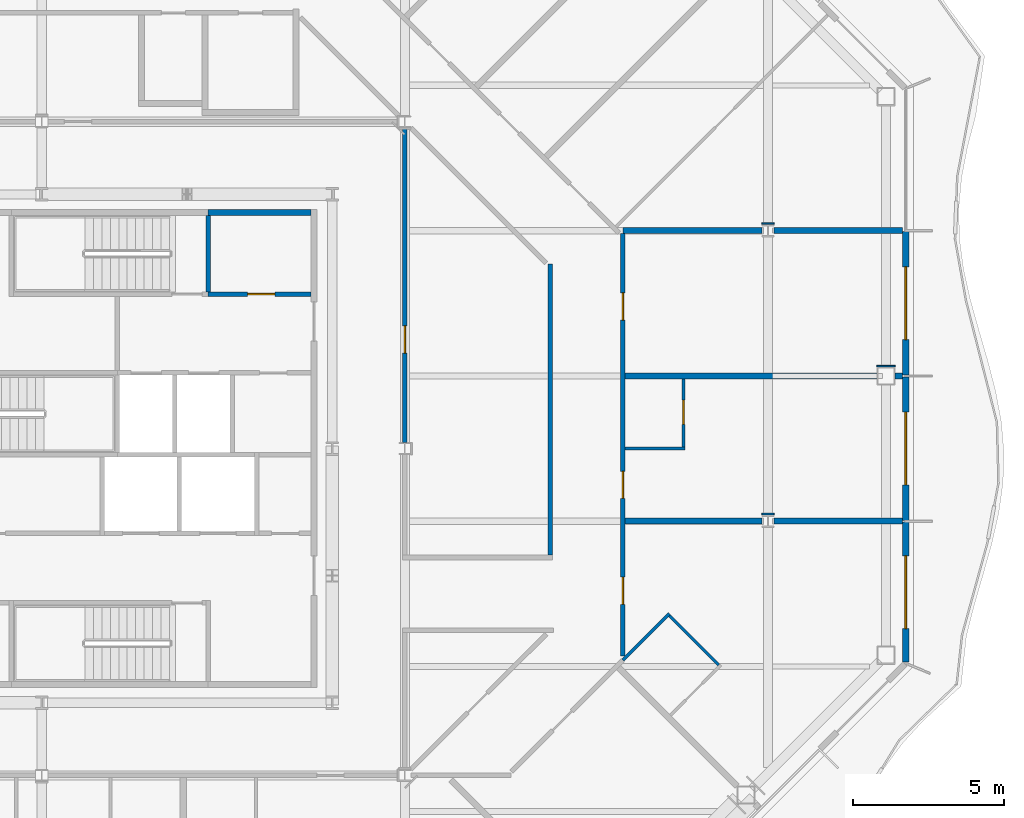
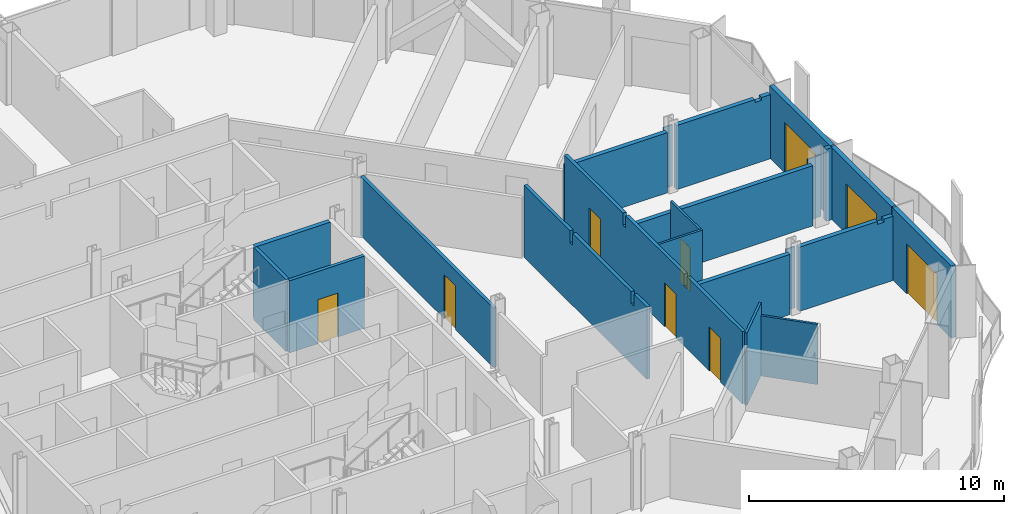
# One storey, part 11 of 21: 22 walls, 9 doors, 9 openings.
"""IFC4 building model written with IfcOpenShell, lengths in metres."""

from ifc_helpers import new_model, si_unit, direction, frame, frame_2d, origin, place, context, subcontext, project, spatial, polyline, rectangle, outline, extrude, material, layer, layer_set, type_object, element, fill, save


model = new_model("IFC4")

# Units and contexts
model_context = context("Model", 3, precision=1e-05, world=origin(), true_north=direction((0.0, 1.0)))
body_context = subcontext(model_context, "Body", "Model", "MODEL_VIEW")
ifc_project = project(units=[si_unit("LENGTHUNIT", "METRE"), si_unit("AREAUNIT", "SQUARE_METRE"), si_unit("VOLUMEUNIT", "CUBIC_METRE"), si_unit("PLANEANGLEUNIT", "RADIAN"), si_unit("MASSUNIT", "GRAM", prefix="KILO")], contexts=[model_context])

# Site, building, storey
site_placement = place(None, origin())
site = spatial("IfcSite", under=ifc_project, at=site_placement, CompositionType="ELEMENT")
building_placement = place(site_placement, origin())
building = spatial("IfcBuilding", under=site, at=building_placement, Name="Cairn Pilgrim Tower", CompositionType="ELEMENT")
storey_placement = place(building_placement, frame((0.0, 0.0, 154.199951171875)))
storey = spatial("IfcBuildingStorey", under=building, at=storey_placement, Name="L38", CompositionType="ELEMENT", Elevation=154.199951171875)

# Wall, opening, door
ifc_material_1 = material(Name="Bronze anodised aluminium insulated sandwich panel with mineral wool fill", Category="aluminium")
ifc_layer_1 = layer(ifc_material_1, 0.199951171875)
ifc_layer_set_1 = layer_set([ifc_layer_1], Name="BRONZE INFILL FRAME WALL 200")
wall_type_1 = type_object("IfcWallType", Name="BRONZE INFILL FRAME WALL 200", PredefinedType="NOTDEFINED", material=ifc_layer_set_1)
wall_1_placement = place(storey_placement, frame((35.75, -4.656494140625, 0.0), z_axis=(0.0, 0.0, 1.0), x_axis=(0.0, 1.0, 0.0)))
wall_1 = element("IfcWall", 1, at=wall_1_placement, inside=storey, type_object=wall_type_1, Name="Bronze infill frame wall IW-E1", PredefinedType="NOTDEFINED", context=body_context, shape_type="SweptSolid", body=[
    extrude(rectangle(XDim=4.62646484375, YDim=0.199951171875, at=frame_2d((2.313232421875, 0.0))), origin(), (0.0, 0.0, 1.0), 3.449951171875),
])
opening_1_placement = place(wall_1_placement, frame((1.1083984375, 0.0, 0.0)))
opening_1 = element("IfcOpeningElement", 2, at=opening_1_placement, cuts=wall_1, Name="Opening 3803B", PredefinedType="OPENING", context=body_context, shape_type="SweptSolid", body=[
    extrude(rectangle(XDim=2.39990234375, YDim=2.39990234375, at=frame_2d((1.199951171875, 1.199951171875))), frame((0.0, 0.10986328125, 0.0), z_axis=(0.0, -1.0, 0.0), x_axis=(1.0, 0.0, 0.0)), (0.0, 0.0, 1.0), 0.219970703125),
])
ifc_material_2 = material(Name="Bronze anodised aluminium frame with tinted low-E glass", Category="aluminium")
door_type_1 = type_object("IfcDoorType", Name="BALCONY SLIDING DOOR 2400x2400", OperationType="DOUBLE_DOOR_SLIDING", PredefinedType="DOOR", material=ifc_material_2)
door_1_placement = place(opening_1_placement, origin())
door_1 = element("IfcDoor", 3, at=door_1_placement, inside=storey, type_object=door_type_1, Name="Balcony sliding door 3803B", OperationType="SINGLE_SWING_LEFT", OverallHeight=2.39990234375, OverallWidth=2.39990234375, PredefinedType="DOOR", context=body_context, shape_type="SweptSolid", body=[
    extrude(rectangle(XDim=2.39990234375, YDim=2.39990234375, at=frame_2d((1.199951171875, 1.199951171875))), frame((0.0, 0.02490234375, 0.0), z_axis=(0.0, -1.0, 0.0), x_axis=(1.0, 0.0, 0.0)), (0.0, 0.0, 1.0), 0.050048828125),
])
fill(opening_1, door_1)

wall_2_placement = place(storey_placement, frame((35.75, 0.030029296875, 0.0), z_axis=(0.0, 0.0, 1.0), x_axis=(0.0, 1.0, 0.0)))
wall_2 = element("IfcWall", 4, at=wall_2_placement, inside=storey, type_object=wall_type_1, Name="Bronze infill frame wall IW-E2", PredefinedType="NOTDEFINED", context=body_context, shape_type="SweptSolid", body=[
    extrude(rectangle(XDim=4.739990234375, YDim=0.199951171875, at=frame_2d((2.3701171875, 0.0))), origin(), (0.0, 0.0, 1.0), 3.449951171875),
])
opening_2_placement = place(wall_2_placement, frame((1.169921875, 0.0, 0.0)))
opening_2 = element("IfcOpeningElement", 5, at=opening_2_placement, cuts=wall_2, Name="Opening 3804B", PredefinedType="OPENING", context=body_context, shape_type="SweptSolid", body=[
    extrude(rectangle(XDim=2.39990234375, YDim=2.39990234375, at=frame_2d((1.199951171875, 1.199951171875))), frame((0.0, 0.10986328125, 0.0), z_axis=(0.0, -1.0, 0.0), x_axis=(1.0, 0.0, 0.0)), (0.0, 0.0, 1.0), 0.219970703125),
])
door_2_placement = place(opening_2_placement, origin())
door_2 = element("IfcDoor", 6, at=door_2_placement, inside=storey, type_object=door_type_1, Name="Balcony sliding door 3804B", OperationType="SINGLE_SWING_LEFT", OverallHeight=2.39990234375, OverallWidth=2.39990234375, PredefinedType="DOOR", context=body_context, shape_type="SweptSolid", body=[
    extrude(rectangle(XDim=2.39990234375, YDim=2.39990234375, at=frame_2d((1.199951171875, 1.199951171875))), frame((0.0, 0.02490234375, 0.0), z_axis=(0.0, -1.0, 0.0), x_axis=(1.0, 0.0, 0.0)), (0.0, 0.0, 1.0), 0.050048828125),
])
fill(opening_2, door_2)

wall_3_placement = place(storey_placement, frame((35.75, 4.830078125, 0.0), z_axis=(0.0, 0.0, 1.0), x_axis=(0.0, 1.0, 0.0)))
wall_3 = element("IfcWall", 7, at=wall_3_placement, inside=storey, type_object=wall_type_1, Name="Bronze infill frame wall IW-E3", PredefinedType="NOTDEFINED", context=body_context, shape_type="SweptSolid", body=[
    extrude(rectangle(XDim=4.739990234375, YDim=0.199951171875, at=frame_2d((2.3701171875, 0.0))), origin(), (0.0, 0.0, 1.0), 3.449951171875),
])
opening_3_placement = place(wall_3_placement, frame((1.169921875, 0.0, 0.0)))
opening_3 = element("IfcOpeningElement", 8, at=opening_3_placement, cuts=wall_3, Name="Opening 3805B", PredefinedType="OPENING", context=body_context, shape_type="SweptSolid", body=[
    extrude(rectangle(XDim=2.39990234375, YDim=2.39990234375, at=frame_2d((1.199951171875, 1.199951171875))), frame((0.0, 0.10986328125, 0.0), z_axis=(0.0, -1.0, 0.0), x_axis=(1.0, 0.0, 0.0)), (0.0, 0.0, 1.0), 0.219970703125),
])
door_3_placement = place(opening_3_placement, origin())
door_3 = element("IfcDoor", 9, at=door_3_placement, inside=storey, type_object=door_type_1, Name="Balcony sliding door 3805B", OperationType="SINGLE_SWING_LEFT", OverallHeight=2.39990234375, OverallWidth=2.39990234375, PredefinedType="DOOR", context=body_context, shape_type="SweptSolid", body=[
    extrude(rectangle(XDim=2.39990234375, YDim=2.39990234375, at=frame_2d((1.199951171875, 1.199951171875))), frame((0.0, 0.02490234375, 0.0), z_axis=(0.0, -1.0, 0.0), x_axis=(1.0, 0.0, 0.0)), (0.0, 0.0, 1.0), 0.050048828125),
])
fill(opening_3, door_3)

# Wall
ifc_material_3 = material(Name="Concrete C32/40", Category="concrete")
ifc_layer_2 = layer(ifc_material_3, 0.199951171875)
ifc_layer_set_2 = layer_set([ifc_layer_2], Name="CORE OUTER WALL 200 EI 120")
wall_type_2 = type_object("IfcWallType", Name="CORE OUTER WALL 200 EI 120", PredefinedType="SOLIDWALL", material=ifc_layer_set_2)
wall_4_placement = place(storey_placement, frame((12.699951171875, 10.199951171875, 0.0), z_axis=(0.0, 0.0, 1.0), x_axis=(1.0, 0.0, 0.0)))
element("IfcWall", 10, at=wall_4_placement, inside=storey, type_object=wall_type_2, Name="CW:L38:H12-3", PredefinedType="SOLIDWALL", context=body_context, shape_type="SweptSolid", body=[
    extrude(rectangle(XDim=3.400146484375, YDim=0.199951171875, at=frame_2d((1.7001953125, 0.0))), origin(), (0.0, 0.0, 1.0), 3.449951171875),
])

# Wall, opening, door
ifc_layer_3 = layer(ifc_material_3, 0.14990234375)
ifc_layer_set_3 = layer_set([ifc_layer_3], Name="CORE SHAFT WALL 150 EI 120")
wall_type_3 = type_object("IfcWallType", Name="CORE SHAFT WALL 150 EI 120", PredefinedType="SOLIDWALL", material=ifc_layer_set_3)
wall_5_placement = place(storey_placement, frame((12.699951171875, 7.5, 0.0), z_axis=(0.0, 0.0, 1.0), x_axis=(1.0, 0.0, 0.0)))
wall_5 = element("IfcWall", 11, at=wall_5_placement, inside=storey, type_object=wall_type_3, Name="CW:L38:H11-2", PredefinedType="SOLIDWALL", context=body_context, shape_type="SweptSolid", body=[
    extrude(rectangle(XDim=3.400146484375, YDim=0.14990234375, at=frame_2d((1.7001953125, 0.0))), origin(), (0.0, 0.0, 1.0), 3.449951171875),
])
opening_4_placement = place(wall_5_placement, frame((1.300048828125, 0.0, 0.0)))
opening_4 = element("IfcOpeningElement", 12, at=opening_4_placement, cuts=wall_5, Name="Opening RD-R4E", PredefinedType="OPENING", context=body_context, shape_type="SweptSolid", body=[
    extrude(rectangle(XDim=0.89990234375, YDim=2.10009765625, at=frame_2d((0.449951171875, 1.050048828125))), frame((0.0, 0.0849609375, 0.0), z_axis=(0.0, -1.0, 0.0), x_axis=(1.0, 0.0, 0.0)), (0.0, 0.0, 1.0), 0.169921875),
])
ifc_material_4 = material(Name="Painted steel", Category="steel")
door_type_2 = type_object("IfcDoorType", Name="SERVICE ROOM DOOR 900x2100", OperationType="SINGLE_SWING_LEFT", PredefinedType="DOOR", material=ifc_material_4)
door_4_placement = place(opening_4_placement, origin())
door_4 = element("IfcDoor", 13, at=door_4_placement, inside=storey, type_object=door_type_2, Name="RD-R4E", OperationType="SINGLE_SWING_RIGHT", OverallHeight=2.10009765625, OverallWidth=0.89990234375, PredefinedType="DOOR", context=body_context, shape_type="SweptSolid", body=[
    extrude(rectangle(XDim=0.89990234375, YDim=2.10009765625, at=frame_2d((0.449951171875, 1.050048828125))), frame((0.0, 0.02490234375, 0.0), z_axis=(0.0, -1.0, 0.0), x_axis=(1.0, 0.0, 0.0)), (0.0, 0.0, 1.0), 0.050048828125),
])
fill(opening_4, door_4)

# Walls
ifc_material_5 = material(Name="Gypsum partition")
ifc_layer_4 = layer(ifc_material_5, 0.10009765625)
ifc_layer_set_4 = layer_set([ifc_layer_4], Name="PARTITION 100 DRYWALL")
wall_type_4 = type_object("IfcWallType", Name="PARTITION 100 DRYWALL", PredefinedType="PARTITIONING", material=ifc_layer_set_4)
wall_6_placement = place(storey_placement, frame((29.567626953125, -4.74951171875, 0.0), z_axis=(0.0, 0.0, 1.0), x_axis=(-0.707106781187, 0.707106781187, 0.0)))
element("IfcWall", 14, at=wall_6_placement, inside=storey, type_object=wall_type_4, Name="PARTITION W039", PredefinedType="PARTITIONING", context=body_context, shape_type="SweptSolid", body=[
    extrude(rectangle(XDim=2.2998046875, YDim=0.10009765625, at=frame_2d((1.14990234375, 0.0))), origin(), (0.0, 0.0, 1.0), 2.880126953125),
])
wall_7_placement = place(storey_placement, frame((26.39990234375, -4.593994140625, 0.0), z_axis=(0.0, 0.0, 1.0), x_axis=(0.707106781187, 0.707106781187, 0.0)))
element("IfcWall", 15, at=wall_7_placement, inside=storey, type_object=wall_type_4, Name="PARTITION W040", PredefinedType="PARTITIONING", context=body_context, shape_type="SweptSolid", body=[
    extrude(rectangle(XDim=2.179931640625, YDim=0.10009765625, at=frame_2d((1.08984375, 0.0))), origin(), (0.0, 0.0, 1.0), 3.449951171875),
])
wall_8_placement = place(storey_placement, frame((26.47509765625, 2.39990234375, 0.0), z_axis=(0.0, 0.0, 1.0), x_axis=(1.0, 0.0, 0.0)))
element("IfcWall", 16, at=wall_8_placement, inside=storey, type_object=wall_type_4, Name="PARTITION W056", PredefinedType="PARTITIONING", context=body_context, shape_type="SweptSolid", body=[
    extrude(rectangle(XDim=1.974853515625, YDim=0.10009765625, at=frame_2d((0.9873046875, 0.0))), origin(), (0.0, 0.0, 1.0), 3.449951171875),
])

# Wall, opening, door
wall_9_placement = place(storey_placement, frame((28.39990234375, 2.449951171875, 0.0), z_axis=(0.0, 0.0, 1.0), x_axis=(0.0, 1.0, 0.0)))
wall_9 = element("IfcWall", 17, at=wall_9_placement, inside=storey, type_object=wall_type_4, Name="PARTITION W057", PredefinedType="PARTITIONING", context=body_context, shape_type="SweptSolid", body=[
    extrude(outline(polyline([(0.0, 0.0), (2.25, 0.0), (2.25, 2.880126953125), (2.2451171875, 2.880126953125), (2.242919921875, 3.449951171875), (0.0, 3.449951171875), (0.0, 0.0)])), frame((0.0, 0.050048828125, 0.0), z_axis=(0.0, -1.0, 0.0), x_axis=(1.0, 0.0, 0.0)), (0.0, 0.0, 1.0), 0.10009765625),
])
opening_5_placement = place(wall_9_placement, frame((0.75, 0.0, 0.0)))
opening_5 = element("IfcOpeningElement", 18, at=opening_5_placement, cuts=wall_9, Name="Opening 3804A", PredefinedType="OPENING", context=body_context, shape_type="SweptSolid", body=[
    extrude(rectangle(XDim=0.800048828125, YDim=2.10009765625, at=frame_2d((0.39990234375, 1.050048828125))), frame((0.0, 0.06005859375, 0.0), z_axis=(0.0, -1.0, 0.0), x_axis=(1.0, 0.0, 0.0)), (0.0, 0.0, 1.0), 0.1201171875),
])
ifc_material_6 = material(Name="Timber door leaf", Category="wood")
door_type_3 = type_object("IfcDoorType", Name="WC DOOR 800x2100", OperationType="NOTDEFINED", PredefinedType="DOOR", material=ifc_material_6)
door_5_placement = place(opening_5_placement, frame((0.800048828125, 0.0, 0.0), z_axis=(0.0, 0.0, 1.0), x_axis=(-1.0, 0.0, 0.0)))
door_5 = element("IfcDoor", 19, at=door_5_placement, inside=storey, type_object=door_type_3, Name="DOOR 3804A", OperationType="SINGLE_SWING_LEFT", OverallHeight=2.10009765625, OverallWidth=0.800048828125, PredefinedType="DOOR", context=body_context, shape_type="SweptSolid", body=[
    extrude(rectangle(XDim=0.800048828125, YDim=2.10009765625, at=frame_2d((0.39990234375, 1.050048828125))), frame((0.0, 0.02490234375, 0.0), z_axis=(0.0, -1.0, 0.0), x_axis=(1.0, 0.0, 0.0)), (0.0, 0.0, 1.0), 0.050048828125),
])
fill(opening_5, door_5)

# Wall, openings, doors
ifc_layer_5 = layer(ifc_material_5, 0.14990234375)
ifc_layer_set_5 = layer_set([ifc_layer_5], Name="PARTITION 150 DRYWALL EI 60")
wall_type_5 = type_object("IfcWallType", Name="PARTITION 150 DRYWALL EI 60", PredefinedType="PARTITIONING", material=ifc_layer_set_5)
wall_10_placement = place(storey_placement, frame((26.39990234375, -4.4482421875, 0.0), z_axis=(0.0, 0.0, 1.0), x_axis=(0.0, 1.0, 0.0)))
wall_10 = element("IfcWall", 20, at=wall_10_placement, inside=storey, type_object=wall_type_5, Name="PARTITION W041", PredefinedType="PARTITIONING", context=body_context, shape_type="SweptSolid", body=[
    extrude(outline(polyline([(0.0, 0.0), (13.9482421875, 0.0), (13.948486328125, 2.880126953125), (13.943359375, 2.880126953125), (13.94140625, 3.449951171875), (9.353271484375, 3.449951171875), (9.351318359375, 2.880126953125), (9.143310546875, 2.880126953125), (9.141357421875, 3.449951171875), (4.55322265625, 3.449951171875), (4.55126953125, 2.880126953125), (4.34326171875, 2.880126953125), (4.34130859375, 3.449951171875), (0.0, 3.449951171875), (0.0, 0.0)])), frame((0.0, 0.074951171875, 0.0), z_axis=(0.0, -1.0, 0.0), x_axis=(1.0, 0.0, 0.0)), (0.0, 0.0, 1.0), 0.14990234375),
])
opening_6_placement = place(wall_10_placement, frame((1.701171875, 0.0, 0.0)))
opening_6 = element("IfcOpeningElement", 21, at=opening_6_placement, cuts=wall_10, Name="Opening 3803", PredefinedType="OPENING", context=body_context, shape_type="SweptSolid", body=[
    extrude(rectangle(XDim=0.89990234375, YDim=2.10009765625, at=frame_2d((0.449951171875, 1.050048828125))), frame((0.0, 0.0849609375, 0.0), z_axis=(0.0, -1.0, 0.0), x_axis=(1.0, 0.0, 0.0)), (0.0, 0.0, 1.0), 0.169921875),
])
opening_7_placement = place(wall_10_placement, frame((5.1982421875, 0.0, 0.0)))
opening_7 = element("IfcOpeningElement", 22, at=opening_7_placement, cuts=wall_10, Name="Opening 3804", PredefinedType="OPENING", context=body_context, shape_type="SweptSolid", body=[
    extrude(rectangle(XDim=0.89990234375, YDim=2.10009765625, at=frame_2d((0.449951171875, 1.050048828125))), frame((0.0, 0.0849609375, 0.0), z_axis=(0.0, -1.0, 0.0), x_axis=(1.0, 0.0, 0.0)), (0.0, 0.0, 1.0), 0.169921875),
])
opening_8_placement = place(wall_10_placement, frame((11.09521484375, 0.0, 0.0)))
opening_8 = element("IfcOpeningElement", 23, at=opening_8_placement, cuts=wall_10, Name="Opening 3805", PredefinedType="OPENING", context=body_context, shape_type="SweptSolid", body=[
    extrude(rectangle(XDim=0.89990234375, YDim=2.10009765625, at=frame_2d((0.449951171875, 1.050048828125))), frame((0.0, 0.0849609375, 0.0), z_axis=(0.0, -1.0, 0.0), x_axis=(1.0, 0.0, 0.0)), (0.0, 0.0, 1.0), 0.169921875),
])
door_type_4 = type_object("IfcDoorType", Name="ROOM DOOR 900x2100 FD30S", OperationType="NOTDEFINED", PredefinedType="DOOR", material=ifc_material_6)
door_6_placement = place(opening_6_placement, frame((0.89990234375, 0.0, 0.0), z_axis=(0.0, 0.0, 1.0), x_axis=(-1.0, 0.0, 0.0)))
door_6 = element("IfcDoor", 24, at=door_6_placement, inside=storey, type_object=door_type_4, Name="DOOR 3803", OperationType="SINGLE_SWING_LEFT", OverallHeight=2.10009765625, OverallWidth=0.89990234375, PredefinedType="DOOR", context=body_context, shape_type="SweptSolid", body=[
    extrude(rectangle(XDim=0.89990234375, YDim=2.10009765625, at=frame_2d((0.449951171875, 1.050048828125))), frame((0.0, 0.02490234375, 0.0), z_axis=(0.0, -1.0, 0.0), x_axis=(1.0, 0.0, 0.0)), (0.0, 0.0, 1.0), 0.050048828125),
])
fill(opening_6, door_6)
door_7_placement = place(opening_7_placement, frame((0.89990234375, 0.0, 0.0), z_axis=(0.0, 0.0, 1.0), x_axis=(-1.0, 0.0, 0.0)))
door_7 = element("IfcDoor", 25, at=door_7_placement, inside=storey, type_object=door_type_4, Name="DOOR 3804", OperationType="SINGLE_SWING_LEFT", OverallHeight=2.10009765625, OverallWidth=0.89990234375, PredefinedType="DOOR", context=body_context, shape_type="SweptSolid", body=[
    extrude(rectangle(XDim=0.89990234375, YDim=2.10009765625, at=frame_2d((0.449951171875, 1.050048828125))), frame((0.0, 0.02490234375, 0.0), z_axis=(0.0, -1.0, 0.0), x_axis=(1.0, 0.0, 0.0)), (0.0, 0.0, 1.0), 0.050048828125),
])
fill(opening_7, door_7)
door_type_5 = type_object("IfcDoorType", Name="SERVICE DOOR 900x2100 FD30S", OperationType="NOTDEFINED", PredefinedType="DOOR", material=ifc_material_6)
door_8_placement = place(opening_8_placement, frame((0.89990234375, 0.0, 0.0), z_axis=(0.0, 0.0, 1.0), x_axis=(-1.0, 0.0, 0.0)))
door_8 = element("IfcDoor", 26, at=door_8_placement, inside=storey, type_object=door_type_5, Name="DOOR 3805", OperationType="SINGLE_SWING_LEFT", OverallHeight=2.10009765625, OverallWidth=0.89990234375, PredefinedType="DOOR", context=body_context, shape_type="SweptSolid", body=[
    extrude(rectangle(XDim=0.89990234375, YDim=2.10009765625, at=frame_2d((0.449951171875, 1.050048828125))), frame((0.0, 0.02490234375, 0.0), z_axis=(0.0, -1.0, 0.0), x_axis=(1.0, 0.0, 0.0)), (0.0, 0.0, 1.0), 0.050048828125),
])
fill(opening_8, door_8)

# Wall
wall_11_placement = place(storey_placement, frame((24.0, -1.125, 0.0), z_axis=(0.0, 0.0, 1.0), x_axis=(0.0, 1.0, 0.0)))
element("IfcWall", 27, at=wall_11_placement, inside=storey, type_object=wall_type_5, Name="PARTITION W049", PredefinedType="PARTITIONING", context=body_context, shape_type="SweptSolid", body=[
    extrude(outline(polyline([(0.0, 0.0), (9.631103515625, 0.0), (9.631103515625, 3.449951171875), (6.030029296875, 3.449951171875), (6.028076171875, 2.880126953125), (5.820068359375, 2.880126953125), (5.818115234375, 3.449951171875), (1.22998046875, 3.449951171875), (1.22802734375, 2.880126953125), (1.02001953125, 2.880126953125), (1.01806640625, 3.449951171875), (0.0, 3.449951171875), (0.0, 0.0)])), frame((0.0, 0.074951171875, 0.0), z_axis=(0.0, -1.0, 0.0), x_axis=(1.0, 0.0, 0.0)), (0.0, 0.0, 1.0), 0.14990234375),
])

# Wall, opening, door
wall_12_placement = place(storey_placement, frame((19.199951171875, 2.596435546875, 0.0), z_axis=(0.0, 0.0, 1.0), x_axis=(0.0, 1.0, 0.0)))
wall_12 = element("IfcWall", 28, at=wall_12_placement, inside=storey, type_object=wall_type_5, Name="PARTITION W059", PredefinedType="PARTITIONING", context=body_context, shape_type="SweptSolid", body=[
    extrude(rectangle(XDim=10.406982421875, YDim=0.14990234375, at=frame_2d((5.20361328125, 0.0))), origin(), (0.0, 0.0, 1.0), 2.830078125),
])
opening_9_placement = place(wall_12_placement, frame((2.95361328125, 0.0, 0.0)))
opening_9 = element("IfcOpeningElement", 29, at=opening_9_placement, cuts=wall_12, Name="Opening 3826", PredefinedType="OPENING", context=body_context, shape_type="SweptSolid", body=[
    extrude(rectangle(XDim=0.89990234375, YDim=2.10009765625, at=frame_2d((0.449951171875, 1.050048828125))), frame((0.0, 0.0849609375, 0.0), z_axis=(0.0, -1.0, 0.0), x_axis=(1.0, 0.0, 0.0)), (0.0, 0.0, 1.0), 0.169921875),
])
door_9_placement = place(opening_9_placement, frame((0.89990234375, 0.0, 0.0), z_axis=(0.0, 0.0, 1.0), x_axis=(-1.0, 0.0, 0.0)))
door_9 = element("IfcDoor", 30, at=door_9_placement, inside=storey, type_object=door_type_5, Name="DOOR 3826", OperationType="SINGLE_SWING_LEFT", OverallHeight=2.10009765625, OverallWidth=0.89990234375, PredefinedType="DOOR", context=body_context, shape_type="SweptSolid", body=[
    extrude(rectangle(XDim=0.89990234375, YDim=2.10009765625, at=frame_2d((0.449951171875, 1.050048828125))), frame((0.0, 0.02490234375, 0.0), z_axis=(0.0, -1.0, 0.0), x_axis=(1.0, 0.0, 0.0)), (0.0, 0.0, 1.0), 0.050048828125),
])
fill(opening_9, door_9)

# Walls
ifc_layer_6 = layer(ifc_material_5, 0.050048828125)
ifc_layer_set_6 = layer_set([ifc_layer_6], Name="PARTITION 50 DRYWALL EI 60")
wall_type_6 = type_object("IfcWallType", Name="PARTITION 50 DRYWALL EI 60", PredefinedType="PARTITIONING", material=ifc_layer_set_6)
wall_13_placement = place(storey_placement, frame((30.99560546875, 0.237548828125, 0.0), z_axis=(0.0, 0.0, 1.0), x_axis=(1.0, 0.0, 0.0)))
element("IfcWall", 31, at=wall_13_placement, inside=storey, type_object=wall_type_6, Name="COLUMN CASING WC22", PredefinedType="PARTITIONING", context=body_context, shape_type="SweptSolid", body=[
    extrude(rectangle(XDim=0.408935546875, YDim=0.050048828125, at=frame_2d((0.20458984375, 0.0))), origin(), (0.0, 0.0, 1.0), 2.929931640625),
])
wall_14_placement = place(storey_placement, frame((34.800048828125, 5.125, 0.0), z_axis=(0.0, 0.0, 1.0), x_axis=(1.0, 0.0, 0.0)))
element("IfcWall", 32, at=wall_14_placement, inside=storey, type_object=wall_type_6, Name="COLUMN CASING WC24", PredefinedType="PARTITIONING", context=body_context, shape_type="SweptSolid", body=[
    extrude(rectangle(XDim=0.599853515625, YDim=0.050048828125, at=frame_2d((0.2998046875, 0.0))), origin(), (0.0, 0.0, 1.0), 2.929931640625),
])
wall_15_placement = place(storey_placement, frame((30.99560546875, 9.83740234375, 0.0), z_axis=(0.0, 0.0, 1.0), x_axis=(1.0, 0.0, 0.0)))
element("IfcWall", 33, at=wall_15_placement, inside=storey, type_object=wall_type_6, Name="COLUMN CASING WC28", PredefinedType="PARTITIONING", context=body_context, shape_type="SweptSolid", body=[
    extrude(rectangle(XDim=0.408935546875, YDim=0.050048828125, at=frame_2d((0.20458984375, 0.0))), origin(), (0.0, 0.0, 1.0), 2.929931640625),
])
ifc_layer_7 = layer(ifc_material_5, 0.199951171875)
ifc_layer_set_7 = layer_set([ifc_layer_7], Name="SHAFT WALL 200 GYPSUM EI 60")
wall_type_7 = type_object("IfcWallType", Name="SHAFT WALL 200 GYPSUM EI 60", PredefinedType="PARTITIONING", material=ifc_layer_set_7)
wall_16_placement = place(storey_placement, frame((26.47509765625, 0.0, 0.0), z_axis=(0.0, 0.0, 1.0), x_axis=(1.0, 0.0, 0.0)))
element("IfcWall", 34, at=wall_16_placement, inside=storey, type_object=wall_type_7, Name="PARTITION W052", PredefinedType="PARTITIONING", context=body_context, shape_type="SweptSolid", body=[
    extrude(rectangle(XDim=4.5205078125, YDim=0.199951171875, at=frame_2d((2.26025390625, 0.0))), origin(), (0.0, 0.0, 1.0), 2.880126953125),
])
wall_17_placement = place(storey_placement, frame((31.404541015625, 0.0, 0.0), z_axis=(0.0, 0.0, 1.0), x_axis=(1.0, 0.0, 0.0)))
element("IfcWall", 35, at=wall_17_placement, inside=storey, type_object=wall_type_7, Name="PARTITION W053", PredefinedType="PARTITIONING", context=body_context, shape_type="SweptSolid", body=[
    extrude(outline(polyline([(0.0, 0.0), (4.245361328125, 0.0), (4.24560546875, 3.070068359375), (3.845458984375, 3.070068359375), (3.843505859375, 2.929931640625), (3.54541015625, 2.929931640625), (3.54345703125, 3.070068359375), (0.0, 3.070068359375), (0.0, 0.0)])), frame((0.0, 0.10009765625, 0.0), z_axis=(0.0, -1.0, 0.0), x_axis=(1.0, 0.0, 0.0)), (0.0, 0.0, 1.0), 0.199951171875),
])
wall_18_placement = place(storey_placement, frame((26.47509765625, 4.800048828125, 0.0), z_axis=(0.0, 0.0, 1.0), x_axis=(1.0, 0.0, 0.0)))
element("IfcWall", 36, at=wall_18_placement, inside=storey, type_object=wall_type_7, Name="PARTITION W062", PredefinedType="PARTITIONING", context=body_context, shape_type="SweptSolid", body=[
    extrude(rectangle(XDim=8.324951171875, YDim=0.199951171875, at=frame_2d((4.16259765625, 0.0))), origin(), (0.0, 0.0, 1.0), 2.880126953125),
])
wall_19_placement = place(storey_placement, frame((35.39990234375, 4.800048828125, 0.0), z_axis=(0.0, 0.0, 1.0), x_axis=(1.0, 0.0, 0.0)))
element("IfcWall", 37, at=wall_19_placement, inside=storey, type_object=wall_type_7, Name="PARTITION W063", PredefinedType="PARTITIONING", context=body_context, shape_type="SweptSolid", body=[
    extrude(rectangle(XDim=0.25, YDim=0.199951171875, at=frame_2d((0.125, 0.0))), origin(), (0.0, 0.0, 1.0), 3.449951171875),
])
wall_20_placement = place(storey_placement, frame((26.400146484375, 9.60009765625, 0.0), z_axis=(0.0, 0.0, 1.0), x_axis=(1.0, 0.0, 0.0)))
element("IfcWall", 38, at=wall_20_placement, inside=storey, type_object=wall_type_7, Name="PARTITION W072", PredefinedType="PARTITIONING", context=body_context, shape_type="SweptSolid", body=[
    extrude(rectangle(XDim=4.595458984375, YDim=0.199951171875, at=frame_2d((2.2978515625, 0.0))), origin(), (0.0, 0.0, 1.0), 2.880126953125),
])
wall_21_placement = place(storey_placement, frame((31.404541015625, 9.60009765625, 0.0), z_axis=(0.0, 0.0, 1.0), x_axis=(1.0, 0.0, 0.0)))
element("IfcWall", 39, at=wall_21_placement, inside=storey, type_object=wall_type_7, Name="PARTITION W073", PredefinedType="PARTITIONING", context=body_context, shape_type="SweptSolid", body=[
    extrude(outline(polyline([(0.0, 0.0), (4.245361328125, 0.0), (4.24560546875, 3.070068359375), (3.845458984375, 3.070068359375), (3.843505859375, 2.929931640625), (3.54541015625, 2.929931640625), (3.54345703125, 3.070068359375), (0.0, 3.070068359375), (0.0, 0.0)])), frame((0.0, 0.10009765625, 0.0), z_axis=(0.0, -1.0, 0.0), x_axis=(1.0, 0.0, 0.0)), (0.0, 0.0, 1.0), 0.199951171875),
])
ifc_material_7 = material(Name="Concrete C35/45", Category="concrete")
ifc_layer_8 = layer(ifc_material_7, 0.14990234375)
ifc_layer_set_8 = layer_set([ifc_layer_8], Name="STAIR SHAFT WALL 150 EI 120")
wall_type_8 = type_object("IfcWallType", Name="STAIR SHAFT WALL 150 EI 120", PredefinedType="SOLIDWALL", material=ifc_layer_set_8)
wall_22_placement = place(storey_placement, frame((12.699951171875, 7.574951171875, 0.0), z_axis=(0.0, 0.0, 1.0), x_axis=(0.0, 1.0, 0.0)))
element("IfcWall", 40, at=wall_22_placement, inside=storey, type_object=wall_type_8, Name="CW:L38:V27", PredefinedType="SOLIDWALL", context=body_context, shape_type="SweptSolid", body=[
    extrude(rectangle(XDim=2.525146484375, YDim=0.14990234375, at=frame_2d((1.2626953125, 0.0))), origin(), (0.0, 0.0, 1.0), 3.449951171875),
])

save(model, "model.ifc")
